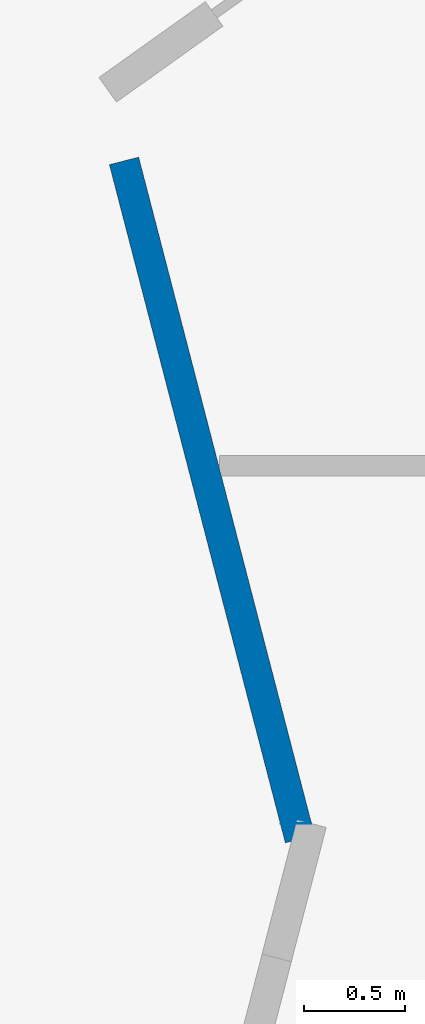
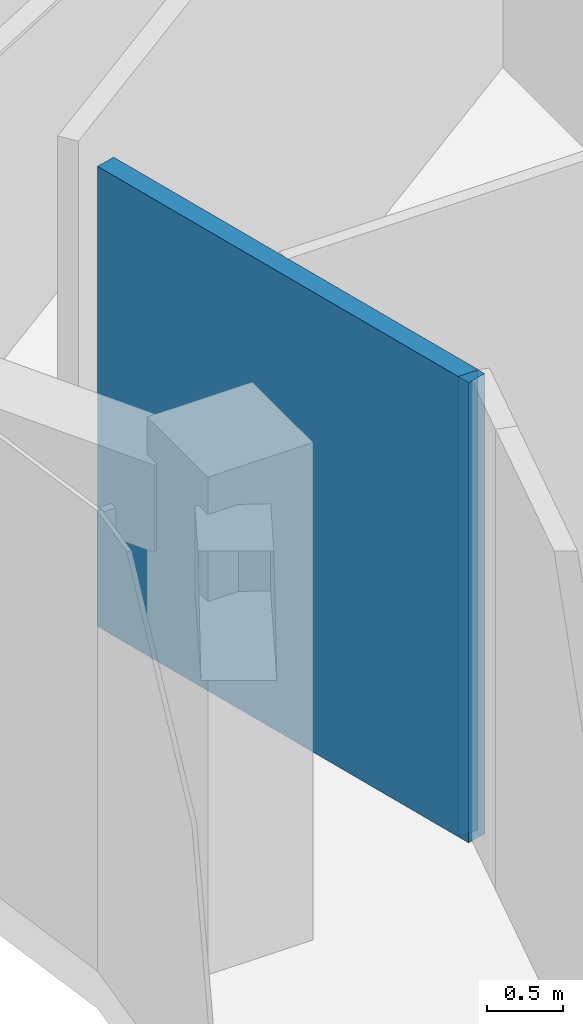
# One storey, part 7 of 20: 2 walls.
"""IFC4 building model written with IfcOpenShell, lengths in metres."""

from ifc_helpers import new_model, si_unit, direction, frame, frame_2d, origin, place, context, subcontext, project, spatial, rectangle, extrude, material, layer, layer_set, type_object, element, save


model = new_model("IFC4")

# Units and contexts
model_context = context("Model", 3, precision=1e-05, world=origin(), true_north=direction((0.0, 1.0)))
body_context = subcontext(model_context, "Body", "Model", "MODEL_VIEW")
ifc_project = project(units=[si_unit("LENGTHUNIT", "METRE"), si_unit("AREAUNIT", "SQUARE_METRE"), si_unit("VOLUMEUNIT", "CUBIC_METRE"), si_unit("PLANEANGLEUNIT", "RADIAN"), si_unit("MASSUNIT", "GRAM", prefix="KILO")], contexts=[model_context])

# Site, building, storey
site_placement = place(None, origin())
site = spatial("IfcSite", under=ifc_project, at=site_placement, CompositionType="ELEMENT")
building_placement = place(site_placement, origin())
building = spatial("IfcBuilding", under=site, at=building_placement, Name="Noorbagh Ring Tower", CompositionType="ELEMENT")
storey_placement = place(building_placement, frame((0.0, 0.0, 323.0)))
storey = spatial("IfcBuildingStorey", under=building, at=storey_placement, Name="L70", CompositionType="ELEMENT", Elevation=323.0)

# Walls
ifc_material = material(Name="Gypsum board on steel studs", Category="steel")
ifc_layer = layer(ifc_material, 0.14990234375)
ifc_layer_set = layer_set([ifc_layer], Name="Gypsum board on steel studs")
wall_type = type_object("IfcWallType", Name="CORRIDOR PARTITION 150 EI 30", PredefinedType="PARTITIONING", material=ifc_layer_set)
wall_1_placement = place(storey_placement, frame((11.051025390625, 3.445068359375, 0.0), z_axis=(0.0, 0.0, 1.0), x_axis=(0.251098315815, -0.967961587975, 0.0)))
element("IfcWall", 1, at=wall_1_placement, inside=storey, type_object=wall_type, Name="L70/wall/P74", PredefinedType="PARTITIONING", context=body_context, shape_type="SweptSolid", body=[
    extrude(rectangle(XDim=3.484619140625, YDim=0.14990234375, at=frame_2d((1.7421875, 0.0))), origin(), (0.0, 0.0, 1.0), 3.699951171875),
])
wall_2_placement = place(storey_placement, frame((11.906005859375, 0.15087890625, 0.0), z_axis=(0.0, 0.0, 1.0), x_axis=(0.0, -1.0, 0.0)))
element("IfcWall", 2, at=wall_2_placement, inside=storey, type_object=wall_type, Name="L70/wall/P77", PredefinedType="PARTITIONING", context=body_context, shape_type="SweptSolid", body=[
    extrude(rectangle(XDim=0.001953125, YDim=0.14990234375, at=frame_2d((0.0009765625, 0.0))), origin(), (0.0, 0.0, 1.0), 3.699951171875),
])

save(model, "model.ifc")
